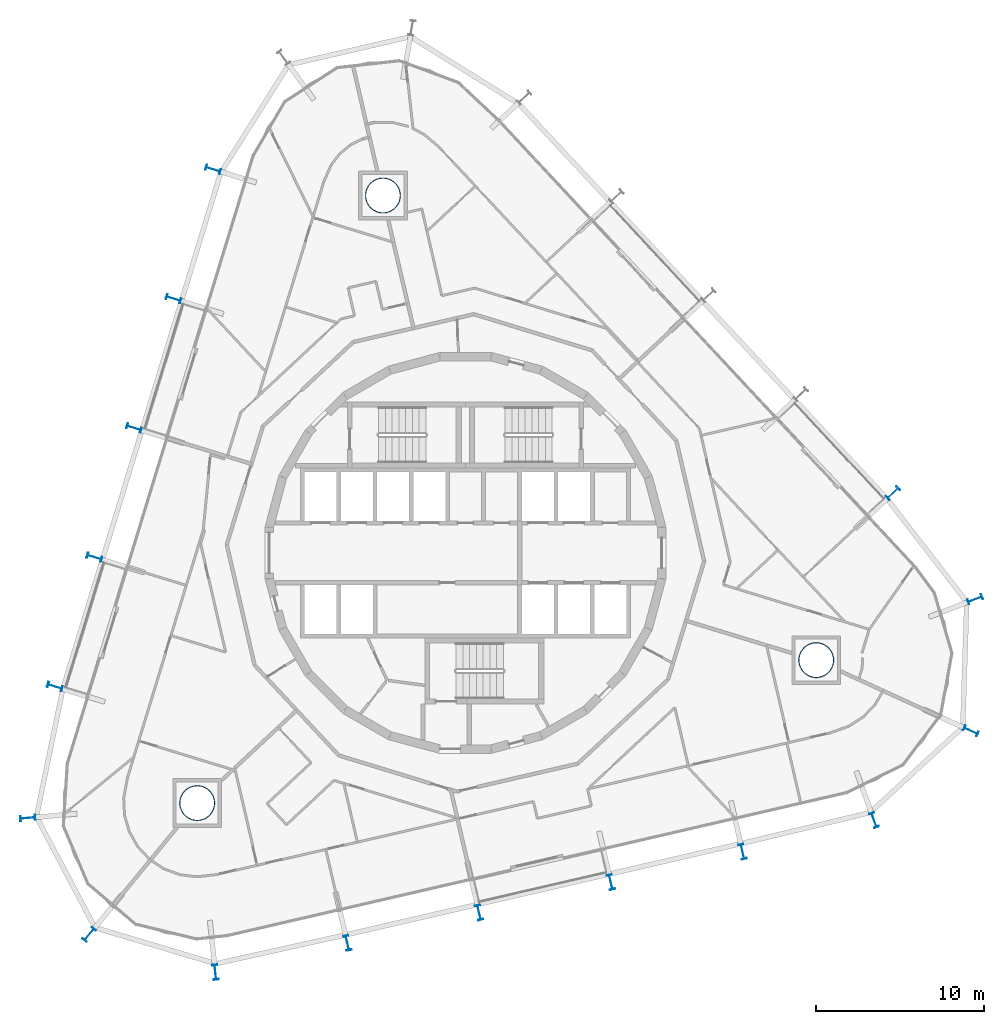
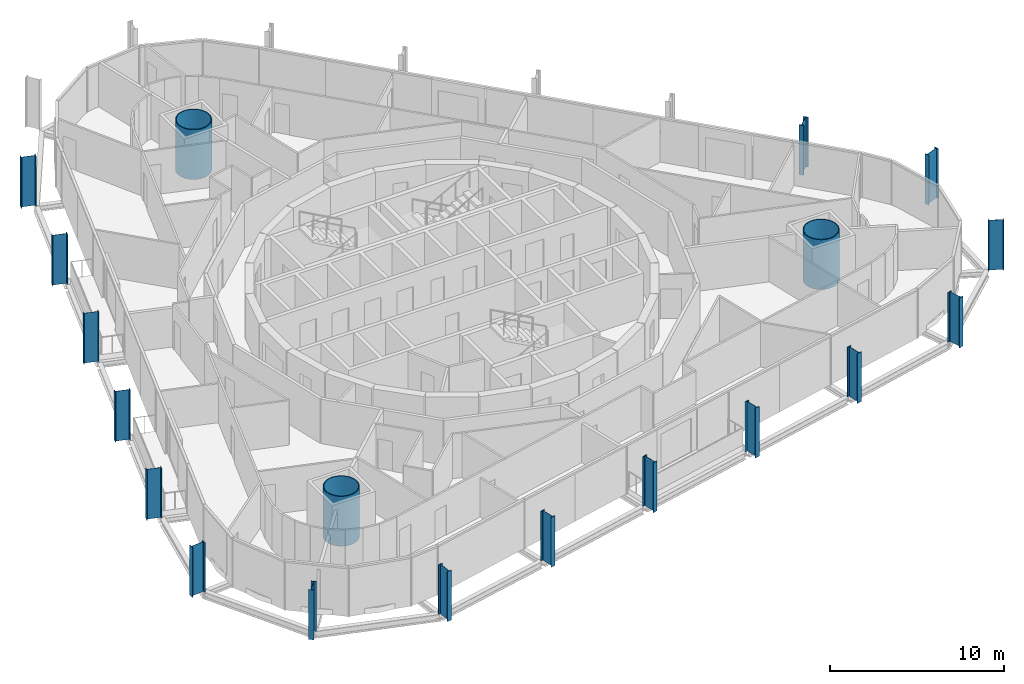
# One storey, part 1 of 18: 19 columns.
"""IFC4 building model written with IfcOpenShell, lengths in metres."""

import ifcopenshell
import ifcopenshell.guid

model = None  # the IFC model being written
_history = None  # IfcOwnerHistory: only IFC2X3 demands one
_inside = {}  # id of a spatial element -> (the spatial element, [elements in it])
_under = {}  # id of a project, library or spatial element -> (it, [spatial elements below it])
_declared = {}  # id of a project -> (the project, [libraries it declares])
_typed = {}  # id of a type object -> (the type object, [elements of that type])
_made_of = {}  # id of a material, layer set ... -> (it, [elements and type objects made of it])


def new_model(schema):
    """Start an empty IFC model of exactly this schema.

    Asked for "IFC4X3", IfcOpenShell would pick the latest addendum, in which some entities
    have other attributes; the version numbers below select the first issue.
    IFC2X3 requires an IfcOwnerHistory on every rooted entity: one is made here for all.
    """
    global model, _history
    if schema == "IFC4X3":
        model = ifcopenshell.file(schema_version=(4, 3, 0, 0))
    else:
        model = ifcopenshell.file(schema=schema)
    _inside.clear()
    _under.clear()
    _declared.clear()
    _typed.clear()
    _made_of.clear()
    _history = None
    if model.schema == "IFC2X3":
        org = make("IfcOrganization", Name="unknown")
        user = make(
            "IfcPersonAndOrganization",
            ThePerson=make("IfcPerson", FamilyName="unknown"),
            TheOrganization=org,
        )
        app = make(
            "IfcApplication",
            ApplicationDeveloper=org,
            Version="unknown",
            ApplicationFullName="unknown",
            ApplicationIdentifier="unknown",
        )
        _history = make(
            "IfcOwnerHistory",
            OwningUser=user,
            OwningApplication=app,
            ChangeAction="ADDED",
            CreationDate=0,
        )
    return model


def make(cls, **values):
    """One entity of the class cls with the attributes given. An attribute that is None is left unset."""
    return model.create_entity(
        cls, **{name: value for name, value in values.items() if value is not None}
    )


def rooted(cls, **values):
    """An entity with a GlobalId (a new one), such as an element, a storey or a relation."""
    return make(cls, GlobalId=ifcopenshell.guid.new(), OwnerHistory=_history, **values)


def si_unit(unit_type, name, prefix=None):
    """IfcSIUnit, for example si_unit("LENGTHUNIT", "METRE", prefix="MILLI")."""
    return make("IfcSIUnit", UnitType=unit_type, Prefix=prefix, Name=name)


def assignment(units):
    """IfcUnitAssignment: the units of a project."""
    return None if units is None else make("IfcUnitAssignment", Units=units)


def point(xyz):
    """IfcCartesianPoint."""
    return None if xyz is None else make("IfcCartesianPoint", Coordinates=xyz)


def direction(xyz):
    """IfcDirection."""
    return None if xyz is None else make("IfcDirection", DirectionRatios=xyz)


def frame(location, z_axis=None, x_axis=None):
    """IfcAxis2Placement3D, a coordinate frame: its origin and axes. An axis left out is left unset."""
    return make(
        "IfcAxis2Placement3D",
        Location=point(location),
        Axis=direction(z_axis),
        RefDirection=direction(x_axis),
    )


def frame_2d(location, x_axis=None):
    """IfcAxis2Placement2D, a coordinate frame in the plane: its origin and x axis."""
    return make(
        "IfcAxis2Placement2D", Location=point(location), RefDirection=direction(x_axis)
    )


def origin():
    """The frame at (0, 0, 0) with its axes left unset."""
    return frame((0.0, 0.0, 0.0))


def origin_2d():
    """The frame at (0, 0) in the plane with its x axis left unset."""
    return frame_2d((0.0, 0.0))


def place(relative_to, where):
    """IfcLocalPlacement: puts the frame where relative to a parent placement (None: the world)."""
    return make(
        "IfcLocalPlacement", PlacementRelTo=relative_to, RelativePlacement=where
    )


def context(
    kind, dimensions, precision=None, world=None, true_north=None, identifier=None
):
    """IfcGeometricRepresentationContext, for example the 3D "Model" context."""
    return make(
        "IfcGeometricRepresentationContext",
        ContextIdentifier=identifier,
        ContextType=kind,
        CoordinateSpaceDimension=dimensions,
        Precision=precision,
        WorldCoordinateSystem=world,
        TrueNorth=true_north,
    )


def subcontext(parent, identifier, kind, view, scale=None):
    """IfcGeometricRepresentationSubContext, for example "Body" below "Model"."""
    return make(
        "IfcGeometricRepresentationSubContext",
        ContextIdentifier=identifier,
        ContextType=kind,
        ParentContext=parent,
        TargetScale=scale,
        TargetView=view,
    )


def project(units=None, contexts=None):
    """IfcProject with its units and contexts."""
    return rooted(
        "IfcProject",
        Name="project",
        RepresentationContexts=contexts,
        UnitsInContext=assignment(units),
    )


def spatial(cls, under=None, at=None, **own):
    """A site, building, storey or space (cls), placed at a placement, below another one or the project."""
    s = rooted(cls, ObjectPlacement=at, **own)
    if under is not None:
        _under.setdefault(under.id(), (under, []))[1].append(s)
    return s


def profile(cls, at=None, kind="AREA", **sizes):
    """A parametric profile (cls). Its sizes go by their IFC names, for example OverallWidth=200.0."""
    return make(cls, ProfileType=kind, Position=at, **sizes)


def hollow_circle(**sizes):
    """IfcCircleHollowProfileDef."""
    return profile("IfcCircleHollowProfileDef", **sizes)


def i_section(**sizes):
    """IfcIShapeProfileDef."""
    return profile("IfcIShapeProfileDef", **sizes)


def extrude(swept, where, along, depth):
    """IfcExtrudedAreaSolid: the profile swept, set in the frame where, extruded along a direction by depth."""
    return make(
        "IfcExtrudedAreaSolid",
        SweptArea=swept,
        Position=where,
        ExtrudedDirection=direction(along),
        Depth=depth,
    )


def shape(context_of_items, identifier, shape_type, items):
    """IfcShapeRepresentation: the items that make up one representation, for example the "Body"."""
    return make(
        "IfcShapeRepresentation",
        ContextOfItems=context_of_items,
        RepresentationIdentifier=identifier,
        RepresentationType=shape_type,
        Items=items,
    )


def material(Name=None, Category=None):
    """IfcMaterial."""
    return make("IfcMaterial", Name=Name, Category=Category)


def material_profile(
    of_material, cross_section, Name=None, Category=None, Priority=None
):
    """IfcMaterialProfile: a cross section and its material."""
    return make(
        "IfcMaterialProfile",
        Name=Name,
        Material=of_material,
        Profile=cross_section,
        Priority=Priority,
        Category=Category,
    )


def profile_set(profiles, Name=None, composite=None):
    """IfcMaterialProfileSet."""
    return make(
        "IfcMaterialProfileSet",
        Name=Name,
        MaterialProfiles=profiles,
        CompositeProfile=composite,
    )


def made_of(thing, what):
    """Note that an element or type object is made of a material, layer set ...; save() writes the relation."""
    if what is not None:
        _made_of.setdefault(what.id(), (what, []))[1].append(thing)
    return thing


def type_object(cls, material=None, **own):
    """A type object (cls), such as IfcWallType, which elements share."""
    return made_of(rooted(cls, **own), material)


def element(
    cls,
    number,
    at=None,
    inside=None,
    cuts=None,
    type_object=None,
    material=None,
    context=None,
    identifier="Body",
    shape_type=None,
    held_by="IfcProductDefinitionShape",
    body=None,
    shapes=None,
    **own,
):
    """One element of the class cls, such as IfcWall. Its Tag is "e" and its number.

    at: its placement. inside: the storey or other place that contains it. cuts: it is an
    opening in that element (IfcRelVoidsElement). A single representation is given by context,
    identifier, shape_type and body (its items); several are given by shapes. held_by: the class
    of the entity that holds the representations. save() writes the other relations.
    """
    e = rooted(cls, Tag="e%d" % number, ObjectPlacement=at, **own)
    if body is not None:
        shapes = [shape(context, identifier, shape_type, body)]
    if shapes is not None:
        e.Representation = make(held_by, Representations=shapes)
    if inside is not None:
        _inside.setdefault(inside.id(), (inside, []))[1].append(e)
    if cuts is not None:
        rooted(
            "IfcRelVoidsElement", RelatingBuildingElement=cuts, RelatedOpeningElement=e
        )
    if type_object is not None:
        _typed.setdefault(type_object.id(), (type_object, []))[1].append(e)
    return made_of(e, material)


def aggregate(whole, parts):
    """IfcRelAggregates: a whole, such as a stair, and the parts it consists of."""
    return rooted("IfcRelAggregates", RelatingObject=whole, RelatedObjects=parts)


def save(model, path):
    """Write the relations noted so far, then the file.

    IfcRelAggregates (storeys below a building ...), IfcRelContainedInSpatialStructure (elements
    in a storey), IfcRelDefinesByType, IfcRelAssociatesMaterial and IfcRelDeclares: one each for
    every whole, place, type object, material and project.
    """
    for whole, parts in _under.values():
        aggregate(whole, parts)
    for where, things in _inside.values():
        rooted(
            "IfcRelContainedInSpatialStructure",
            RelatedElements=things,
            RelatingStructure=where,
        )
    for kind, things in _typed.values():
        rooted("IfcRelDefinesByType", RelatedObjects=things, RelatingType=kind)
    for what, things in _made_of.values():
        rooted("IfcRelAssociatesMaterial", RelatedObjects=things, RelatingMaterial=what)
    for by, libraries in _declared.values():
        rooted("IfcRelDeclares", RelatingContext=by, RelatedDefinitions=libraries)
    model.write(path)


model = new_model("IFC4")

# Units and contexts
model_context = context("Model", 3, precision=1e-05, world=origin(), true_north=direction((0.0, 1.0)))
body_context = subcontext(model_context, "Body", "Model", "MODEL_VIEW")
ifc_project = project(units=[si_unit("LENGTHUNIT", "METRE"), si_unit("AREAUNIT", "SQUARE_METRE"), si_unit("VOLUMEUNIT", "CUBIC_METRE"), si_unit("PLANEANGLEUNIT", "RADIAN"), si_unit("MASSUNIT", "GRAM", prefix="KILO")], contexts=[model_context])

# Site, building, storey
site_placement = place(None, origin())
site = spatial("IfcSite", under=ifc_project, at=site_placement, CompositionType="ELEMENT")
building_placement = place(site_placement, origin())
building = spatial("IfcBuilding", under=site, at=building_placement, Name="Spindle Arch Residences", CompositionType="ELEMENT")
storey_placement = place(building_placement, frame((0.0, 0.0, 137.89990234375)))
storey = spatial("IfcBuildingStorey", under=building, at=storey_placement, Name="L34", CompositionType="ELEMENT", Elevation=137.89990234375)

# Columns
ifc_material_1 = material(Name="Steel S460ML, intumescent coating R 240", Category="steel")
ifc_material_profile_1 = material_profile(ifc_material_1, i_section(OverallWidth=0.300048828125, OverallDepth=0.89990234375, WebThickness=0.0185546875, FlangeThickness=0.034912109375, FilletRadius=0.030029296875, at=origin_2d()), Name="HEB 900")
ifc_profile_set_1 = profile_set([ifc_material_profile_1], Name="Steel S460ML, intumescent coating R 240")
column_type_1 = type_object("IfcColumnType", Name="Exoskeleton post HEB 900", PredefinedType="COLUMN", material=ifc_profile_set_1)
for number, where, z_axis, x_axis, name in (
    (1, (8.633544921875, -19.5498046875, -0.3798828125), (0.0, 0.0, 1.0), (-0.974370073419, -0.224951016948, 0.0), "Exoskeleton post 1"),
    (2, (16.45703125, -17.74365234375, -0.3798828125), (0.0, 0.0, 1.0), (-0.974370073419, -0.224951016948, 0.0), "Exoskeleton post 2"),
    (3, (24.26123046875, -15.86767578125, -0.3798828125), (0.0, 0.0, 1.0), (-0.940523325903, -0.339729117728, 0.0), "Exoskeleton post 3"),
    (4, (30.013916015625, -10.5712890625, -0.3798828125), (0.0, 0.0, 1.0), (-0.416143895931, -0.909298772615, 0.0), "Exoskeleton post 4"),
    (5, (30.261962890625, -2.756103515625, -0.3798828125), (0.0, 0.0, 1.0), (0.357664986637, -0.933849965109, 0.0), "Exoskeleton post 5"),
    (6, (25.390869140625, 3.550048828125, -0.3798828125), (0.0, 0.0, 1.0), (0.68199801865, -0.731354019992, 0.0), "Exoskeleton post 6"),
    (7, (-14.9873046875, 22.7734375, -0.3798828125), (0.0, 0.0, 1.0), (0.29237190653, 0.956304694264, 0.0), "Exoskeleton post 13"),
    (8, (-17.3349609375, 15.09521484375, -0.3798828125), (0.0, 0.0, 1.0), (0.29237190653, 0.956304694264, 0.0), "Exoskeleton post 14"),
    (9, (-19.682373046875, 7.4169921875, -0.3798828125), (0.0, 0.0, 1.0), (0.29237190653, 0.956304694264, 0.0), "Exoskeleton post 15"),
    (10, (-22.02978515625, -0.261474609375, -0.3798828125), (0.0, 0.0, 1.0), (0.29237190653, 0.956304694264, 0.0), "Exoskeleton post 16"),
    (11, (-24.37744140625, -7.939697265625, -0.3798828125), (0.0, 0.0, 1.0), (0.29237190653, 0.956304694264, 0.0), "Exoskeleton post 17"),
    (12, (-25.9912109375, -15.742919921875, -0.3798828125), (0.0, 0.0, 1.0), (-0.087904987966, 0.996128863697, 0.0), "Exoskeleton post 18"),
    (13, (-22.34228515625, -22.65869140625, -0.3798828125), (0.0, 0.0, 1.0), (-0.772637925649, 0.634846938915, 0.0), "Exoskeleton post 19"),
    (14, (-14.85009765625, -24.897216796875, -0.3798828125), (0.0, 0.0, 1.0), (-0.994264182944, -0.106952019682, 0.0), "Exoskeleton post 20"),
    (15, (-7.01318359375, -23.162109375, -0.3798828125), (0.0, 0.0, 1.0), (-0.974370073419, -0.224951016948, 0.0), "Exoskeleton post 21"),
    (16, (0.810302734375, -21.35595703125, -0.3798828125), (0.0, 0.0, 1.0), (-0.974370073419, -0.224951016948, 0.0), "Exoskeleton post 22"),
):
    element("IfcColumn", number, at=place(storey_placement, frame(where, z_axis=z_axis, x_axis=x_axis)), inside=storey, type_object=column_type_1, Name=name, PredefinedType="COLUMN", context=body_context, shape_type="SweptSolid", body=[
        extrude(i_section(OverallWidth=0.300048828125, OverallDepth=0.89990234375, WebThickness=0.0185546875, FlangeThickness=0.034912109375, FilletRadius=0.030029296875, at=origin_2d()), origin(), (0.0, 0.0, 1.0), 3.5),
    ])
ifc_material_2 = material(Name="Concrete C50/60 filled steel tube S460ML, intumescent coating R 240", Category="concrete")
ifc_material_profile_2 = material_profile(ifc_material_2, hollow_circle(Radius=1.050048828125, WallThickness=0.050048828125, at=origin_2d()), Name="CFT D2100x50")
ifc_profile_set_2 = profile_set([ifc_material_profile_2], Name="Concrete C50/60 filled steel tube S460ML, intumescent coating R 240")
column_type_2 = type_object("IfcColumnType", Name="Mega-column CFT D2100x50", PredefinedType="COLUMN", material=ifc_profile_set_2)
for number, where, z_axis, x_axis, name in (
    (17, (20.830078125, -6.368408203125, -0.3798828125), (0.0, 0.0, 1.0), (1.0, 0.0, 0.0), "Mega-column 1"),
    (18, (-4.89990234375, 21.223388671875, -0.3798828125), (0.0, 0.0, 1.0), (1.0, 0.0, 0.0), "Mega-column 2"),
    (19, (-15.93017578125, -14.855224609375, -0.3798828125), (0.0, 0.0, 1.0), (1.0, 0.0, 0.0), "Mega-column 3"),
):
    element("IfcColumn", number, at=place(storey_placement, frame(where, z_axis=z_axis, x_axis=x_axis)), inside=storey, type_object=column_type_2, Name=name, PredefinedType="COLUMN", context=body_context, shape_type="SweptSolid", body=[
        extrude(hollow_circle(Radius=1.050048828125, WallThickness=0.050048828125, at=origin_2d()), origin(), (0.0, 0.0, 1.0), 3.5),
    ])

save(model, "model.ifc")
